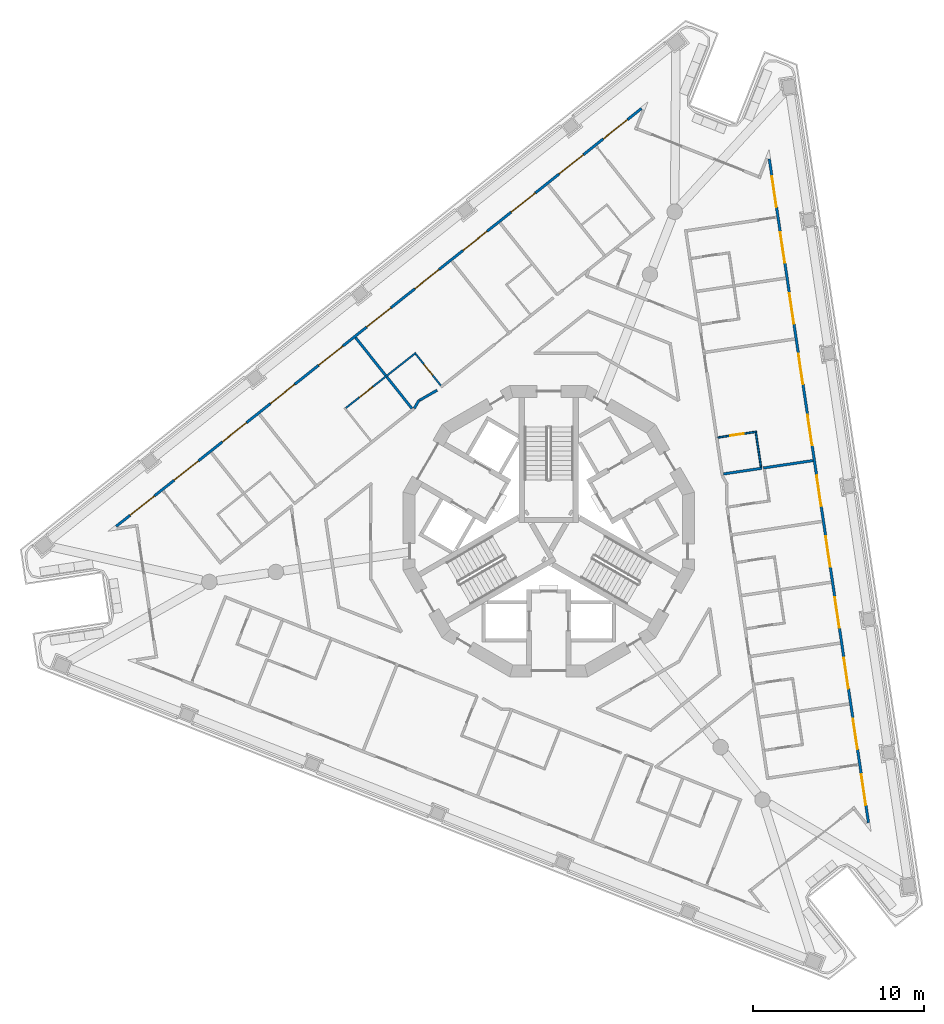
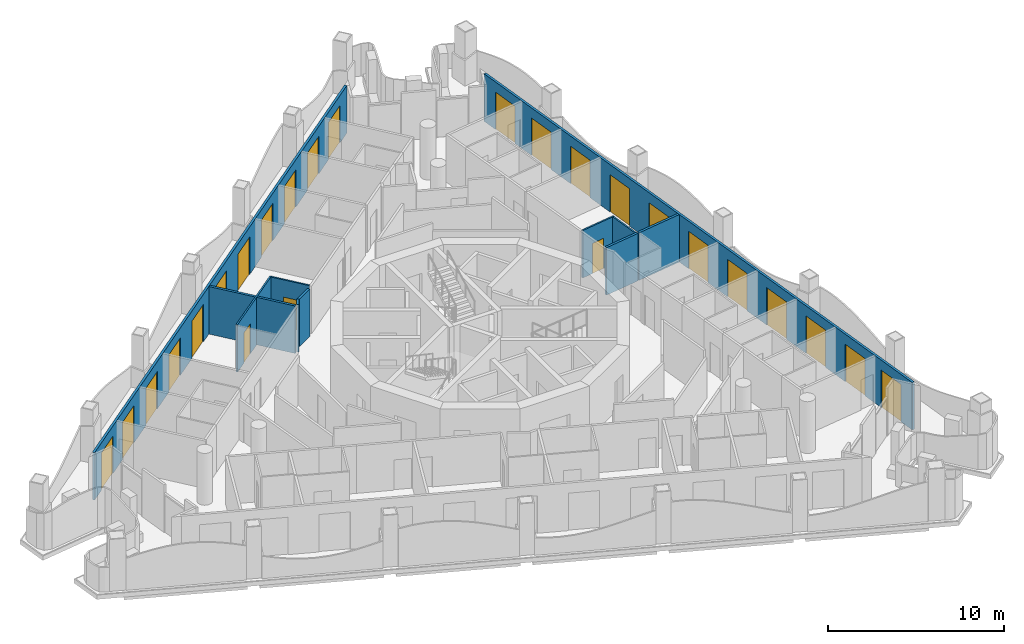
# One storey, part 7 of 16: 25 doors, 11 walls, 25 openings.
"""IFC4 building model written with IfcOpenShell, lengths in metres."""

from ifc_helpers import new_model, si_unit, direction, frame, frame_2d, origin, place, context, subcontext, project, spatial, polyline, rectangle, outline, extrude, material, layer, layer_set, type_object, element, fill, save


model = new_model("IFC4")

# Units and contexts
model_context = context("Model", 3, precision=1e-05, world=origin(), true_north=direction((0.0, 1.0)))
body_context = subcontext(model_context, "Body", "Model", "MODEL_VIEW")
ifc_project = project(units=[si_unit("LENGTHUNIT", "METRE"), si_unit("AREAUNIT", "SQUARE_METRE"), si_unit("VOLUMEUNIT", "CUBIC_METRE"), si_unit("PLANEANGLEUNIT", "RADIAN"), si_unit("MASSUNIT", "GRAM", prefix="KILO")], contexts=[model_context])

# Site, building, storey
site_placement = place(None, origin())
site = spatial("IfcSite", under=ifc_project, at=site_placement, CompositionType="ELEMENT")
building_placement = place(site_placement, origin())
building = spatial("IfcBuilding", under=site, at=building_placement, Name="Trine Commons Tower", CompositionType="ELEMENT")
storey_placement = place(building_placement, frame((0.0, 0.0, 223.199951171875)))
storey = spatial("IfcBuildingStorey", under=building, at=storey_placement, Name="L58", CompositionType="ELEMENT", Elevation=223.199951171875)

# Wall, openings, doors
ifc_material_1 = material(Name="Aluminium-framed insulated wall panel", Category="aluminium")
ifc_layer_1 = layer(ifc_material_1, 0.14990234375)
ifc_layer_set_1 = layer_set([ifc_layer_1], Name="Aluminium-framed insulated wall panel")
wall_type_1 = type_object("IfcWallType", Name="Glazed frame wall 150, EI 60", PredefinedType="SOLIDWALL", material=ifc_layer_set_1)
wall_1_placement = place(storey_placement, frame((54.650634765625, 62.685546875, 0.0), z_axis=(0.0, 0.0, 1.0), x_axis=(0.782609620341, 0.622512796776, 0.0)))
wall_1 = element("IfcWall", 1, at=wall_1_placement, inside=storey, type_object=wall_type_1, Name="Glazed frame wall F1", PredefinedType="SOLIDWALL", context=body_context, shape_type="SweptSolid", body=[
    extrude(outline(polyline([(0.1494140625, 0.074951171875), (0.1494140625, -0.074951171875), (39.296875, -0.074951171875), (39.296875, 0.074951171875), (0.1494140625, 0.074951171875)])), origin(), (0.0, 0.0, 1.0), 3.300048828125),
])
opening_1_placement = place(wall_1_placement, frame((1.193115234375, 0.0, 0.0)))
opening_1 = element("IfcOpeningElement", 2, at=opening_1_placement, cuts=wall_1, Name="Opening BD-6F1-01", PredefinedType="OPENING", context=body_context, shape_type="SweptSolid", body=[
    extrude(rectangle(XDim=1.800048828125, YDim=2.60009765625, at=frame_2d((0.89990234375, 1.300048828125))), frame((0.0, 0.0849609375, 0.0), z_axis=(0.0, -1.0, 0.0), x_axis=(1.0, 0.0, 0.0)), (0.0, 0.0, 1.0), 0.169921875),
])
opening_2_placement = place(wall_1_placement, frame((4.47900390625, 0.0, 0.0)))
opening_2 = element("IfcOpeningElement", 3, at=opening_2_placement, cuts=wall_1, Name="Opening BD-6F1-02", PredefinedType="OPENING", context=body_context, shape_type="SweptSolid", body=[
    extrude(rectangle(XDim=1.800048828125, YDim=2.60009765625, at=frame_2d((0.89990234375, 1.300048828125))), frame((0.0, 0.0849609375, 0.0), z_axis=(0.0, -1.0, 0.0), x_axis=(1.0, 0.0, 0.0)), (0.0, 0.0, 1.0), 0.169921875),
])
opening_3_placement = place(wall_1_placement, frame((8.06494140625, 0.0, 0.0)))
opening_3 = element("IfcOpeningElement", 4, at=opening_3_placement, cuts=wall_1, Name="Opening BD-6F1-03", PredefinedType="OPENING", context=body_context, shape_type="SweptSolid", body=[
    extrude(rectangle(XDim=1.800048828125, YDim=2.60009765625, at=frame_2d((0.89990234375, 1.300048828125))), frame((0.0, 0.0849609375, 0.0), z_axis=(0.0, -1.0, 0.0), x_axis=(1.0, 0.0, 0.0)), (0.0, 0.0, 1.0), 0.169921875),
])
opening_4_placement = place(wall_1_placement, frame((11.65087890625, 0.0, 0.0)))
opening_4 = element("IfcOpeningElement", 5, at=opening_4_placement, cuts=wall_1, Name="Opening BD-6F1-04", PredefinedType="OPENING", context=body_context, shape_type="SweptSolid", body=[
    extrude(rectangle(XDim=1.800048828125, YDim=2.60009765625, at=frame_2d((0.89990234375, 1.300048828125))), frame((0.0, 0.0849609375, 0.0), z_axis=(0.0, -1.0, 0.0), x_axis=(1.0, 0.0, 0.0)), (0.0, 0.0, 1.0), 0.169921875),
])
opening_5_placement = place(wall_1_placement, frame((15.237060546875, 0.0, 0.0)))
opening_5 = element("IfcOpeningElement", 6, at=opening_5_placement, cuts=wall_1, Name="Opening BD-6F1-05", PredefinedType="OPENING", context=body_context, shape_type="SweptSolid", body=[
    extrude(rectangle(XDim=1.800048828125, YDim=2.60009765625, at=frame_2d((0.89990234375, 1.300048828125))), frame((0.0, 0.0849609375, 0.0), z_axis=(0.0, -1.0, 0.0), x_axis=(1.0, 0.0, 0.0)), (0.0, 0.0, 1.0), 0.169921875),
])
opening_6_placement = place(wall_1_placement, frame((18.822998046875, 0.0, 0.0)))
opening_6 = element("IfcOpeningElement", 7, at=opening_6_placement, cuts=wall_1, Name="Opening BD-6F1-06", PredefinedType="OPENING", context=body_context, shape_type="SweptSolid", body=[
    extrude(rectangle(XDim=1.800048828125, YDim=2.60009765625, at=frame_2d((0.89990234375, 1.300048828125))), frame((0.0, 0.0849609375, 0.0), z_axis=(0.0, -1.0, 0.0), x_axis=(1.0, 0.0, 0.0)), (0.0, 0.0, 1.0), 0.169921875),
])
opening_7_placement = place(wall_1_placement, frame((22.408935546875, 0.0, 0.0)))
opening_7 = element("IfcOpeningElement", 8, at=opening_7_placement, cuts=wall_1, Name="Opening BD-6F1-07", PredefinedType="OPENING", context=body_context, shape_type="SweptSolid", body=[
    extrude(rectangle(XDim=1.800048828125, YDim=2.60009765625, at=frame_2d((0.89990234375, 1.300048828125))), frame((0.0, 0.0849609375, 0.0), z_axis=(0.0, -1.0, 0.0), x_axis=(1.0, 0.0, 0.0)), (0.0, 0.0, 1.0), 0.169921875),
])
opening_8_placement = place(wall_1_placement, frame((25.9951171875, 0.0, 0.0)))
opening_8 = element("IfcOpeningElement", 9, at=opening_8_placement, cuts=wall_1, Name="Opening BD-6F1-08", PredefinedType="OPENING", context=body_context, shape_type="SweptSolid", body=[
    extrude(rectangle(XDim=1.800048828125, YDim=2.60009765625, at=frame_2d((0.89990234375, 1.300048828125))), frame((0.0, 0.0849609375, 0.0), z_axis=(0.0, -1.0, 0.0), x_axis=(1.0, 0.0, 0.0)), (0.0, 0.0, 1.0), 0.169921875),
])
opening_9_placement = place(wall_1_placement, frame((29.5810546875, 0.0, 0.0)))
opening_9 = element("IfcOpeningElement", 10, at=opening_9_placement, cuts=wall_1, Name="Opening BD-6F1-09", PredefinedType="OPENING", context=body_context, shape_type="SweptSolid", body=[
    extrude(rectangle(XDim=1.800048828125, YDim=2.60009765625, at=frame_2d((0.89990234375, 1.300048828125))), frame((0.0, 0.0849609375, 0.0), z_axis=(0.0, -1.0, 0.0), x_axis=(1.0, 0.0, 0.0)), (0.0, 0.0, 1.0), 0.169921875),
])
opening_10_placement = place(wall_1_placement, frame((33.1669921875, 0.0, 0.0)))
opening_10 = element("IfcOpeningElement", 11, at=opening_10_placement, cuts=wall_1, Name="Opening BD-6F1-10", PredefinedType="OPENING", context=body_context, shape_type="SweptSolid", body=[
    extrude(rectangle(XDim=1.800048828125, YDim=2.60009765625, at=frame_2d((0.89990234375, 1.300048828125))), frame((0.0, 0.0849609375, 0.0), z_axis=(0.0, -1.0, 0.0), x_axis=(1.0, 0.0, 0.0)), (0.0, 0.0, 1.0), 0.169921875),
])
opening_11_placement = place(wall_1_placement, frame((36.452880859375, 0.0, 0.0)))
opening_11 = element("IfcOpeningElement", 12, at=opening_11_placement, cuts=wall_1, Name="Opening BD-6F1-11", PredefinedType="OPENING", context=body_context, shape_type="SweptSolid", body=[
    extrude(rectangle(XDim=1.800048828125, YDim=2.60009765625, at=frame_2d((0.89990234375, 1.300048828125))), frame((0.0, 0.0849609375, 0.0), z_axis=(0.0, -1.0, 0.0), x_axis=(1.0, 0.0, 0.0)), (0.0, 0.0, 1.0), 0.169921875),
])
ifc_material_2 = material(Name="Anodised aluminium frame with double glazing", Category="aluminium")
door_type_1 = type_object("IfcDoorType", Name="Sliding loggia door 1800x2600", OperationType="SLIDING_TO_LEFT", PredefinedType="DOOR", material=ifc_material_2)
door_1_placement = place(opening_1_placement, origin())
door_1 = element("IfcDoor", 13, at=door_1_placement, inside=storey, type_object=door_type_1, Name="Loggia door F1 1", OperationType="SLIDING_TO_LEFT", OverallHeight=2.60009765625, OverallWidth=1.800048828125, PredefinedType="DOOR", context=body_context, shape_type="SweptSolid", body=[
    extrude(rectangle(XDim=1.800048828125, YDim=2.60009765625, at=frame_2d((0.89990234375, 1.300048828125))), frame((0.0, 0.02490234375, 0.0), z_axis=(0.0, -1.0, 0.0), x_axis=(1.0, 0.0, 0.0)), (0.0, 0.0, 1.0), 0.050048828125),
])
fill(opening_1, door_1)
door_2_placement = place(opening_2_placement, origin())
door_2 = element("IfcDoor", 14, at=door_2_placement, inside=storey, type_object=door_type_1, Name="Loggia door F1 2", OperationType="SLIDING_TO_LEFT", OverallHeight=2.60009765625, OverallWidth=1.800048828125, PredefinedType="DOOR", context=body_context, shape_type="SweptSolid", body=[
    extrude(rectangle(XDim=1.800048828125, YDim=2.60009765625, at=frame_2d((0.89990234375, 1.300048828125))), frame((0.0, 0.02490234375, 0.0), z_axis=(0.0, -1.0, 0.0), x_axis=(1.0, 0.0, 0.0)), (0.0, 0.0, 1.0), 0.050048828125),
])
fill(opening_2, door_2)
door_3_placement = place(opening_3_placement, origin())
door_3 = element("IfcDoor", 15, at=door_3_placement, inside=storey, type_object=door_type_1, Name="Loggia door F1 3", OperationType="SLIDING_TO_LEFT", OverallHeight=2.60009765625, OverallWidth=1.800048828125, PredefinedType="DOOR", context=body_context, shape_type="SweptSolid", body=[
    extrude(rectangle(XDim=1.800048828125, YDim=2.60009765625, at=frame_2d((0.89990234375, 1.300048828125))), frame((0.0, 0.02490234375, 0.0), z_axis=(0.0, -1.0, 0.0), x_axis=(1.0, 0.0, 0.0)), (0.0, 0.0, 1.0), 0.050048828125),
])
fill(opening_3, door_3)
door_4_placement = place(opening_4_placement, origin())
door_4 = element("IfcDoor", 16, at=door_4_placement, inside=storey, type_object=door_type_1, Name="Loggia door F1 4", OperationType="SLIDING_TO_LEFT", OverallHeight=2.60009765625, OverallWidth=1.800048828125, PredefinedType="DOOR", context=body_context, shape_type="SweptSolid", body=[
    extrude(rectangle(XDim=1.800048828125, YDim=2.60009765625, at=frame_2d((0.89990234375, 1.300048828125))), frame((0.0, 0.02490234375, 0.0), z_axis=(0.0, -1.0, 0.0), x_axis=(1.0, 0.0, 0.0)), (0.0, 0.0, 1.0), 0.050048828125),
])
fill(opening_4, door_4)
door_5_placement = place(opening_5_placement, origin())
door_5 = element("IfcDoor", 17, at=door_5_placement, inside=storey, type_object=door_type_1, Name="Loggia door F1 5", OperationType="SLIDING_TO_LEFT", OverallHeight=2.60009765625, OverallWidth=1.800048828125, PredefinedType="DOOR", context=body_context, shape_type="SweptSolid", body=[
    extrude(rectangle(XDim=1.800048828125, YDim=2.60009765625, at=frame_2d((0.89990234375, 1.300048828125))), frame((0.0, 0.02490234375, 0.0), z_axis=(0.0, -1.0, 0.0), x_axis=(1.0, 0.0, 0.0)), (0.0, 0.0, 1.0), 0.050048828125),
])
fill(opening_5, door_5)
door_6_placement = place(opening_6_placement, origin())
door_6 = element("IfcDoor", 18, at=door_6_placement, inside=storey, type_object=door_type_1, Name="Loggia door F1 6", OperationType="SLIDING_TO_LEFT", OverallHeight=2.60009765625, OverallWidth=1.800048828125, PredefinedType="DOOR", context=body_context, shape_type="SweptSolid", body=[
    extrude(rectangle(XDim=1.800048828125, YDim=2.60009765625, at=frame_2d((0.89990234375, 1.300048828125))), frame((0.0, 0.02490234375, 0.0), z_axis=(0.0, -1.0, 0.0), x_axis=(1.0, 0.0, 0.0)), (0.0, 0.0, 1.0), 0.050048828125),
])
fill(opening_6, door_6)
door_7_placement = place(opening_7_placement, origin())
door_7 = element("IfcDoor", 19, at=door_7_placement, inside=storey, type_object=door_type_1, Name="Loggia door F1 7", OperationType="SLIDING_TO_LEFT", OverallHeight=2.60009765625, OverallWidth=1.800048828125, PredefinedType="DOOR", context=body_context, shape_type="SweptSolid", body=[
    extrude(rectangle(XDim=1.800048828125, YDim=2.60009765625, at=frame_2d((0.89990234375, 1.300048828125))), frame((0.0, 0.02490234375, 0.0), z_axis=(0.0, -1.0, 0.0), x_axis=(1.0, 0.0, 0.0)), (0.0, 0.0, 1.0), 0.050048828125),
])
fill(opening_7, door_7)
door_8_placement = place(opening_8_placement, origin())
door_8 = element("IfcDoor", 20, at=door_8_placement, inside=storey, type_object=door_type_1, Name="Loggia door F1 8", OperationType="SLIDING_TO_LEFT", OverallHeight=2.60009765625, OverallWidth=1.800048828125, PredefinedType="DOOR", context=body_context, shape_type="SweptSolid", body=[
    extrude(rectangle(XDim=1.800048828125, YDim=2.60009765625, at=frame_2d((0.89990234375, 1.300048828125))), frame((0.0, 0.02490234375, 0.0), z_axis=(0.0, -1.0, 0.0), x_axis=(1.0, 0.0, 0.0)), (0.0, 0.0, 1.0), 0.050048828125),
])
fill(opening_8, door_8)
door_9_placement = place(opening_9_placement, origin())
door_9 = element("IfcDoor", 21, at=door_9_placement, inside=storey, type_object=door_type_1, Name="Loggia door F1 9", OperationType="SLIDING_TO_LEFT", OverallHeight=2.60009765625, OverallWidth=1.800048828125, PredefinedType="DOOR", context=body_context, shape_type="SweptSolid", body=[
    extrude(rectangle(XDim=1.800048828125, YDim=2.60009765625, at=frame_2d((0.89990234375, 1.300048828125))), frame((0.0, 0.02490234375, 0.0), z_axis=(0.0, -1.0, 0.0), x_axis=(1.0, 0.0, 0.0)), (0.0, 0.0, 1.0), 0.050048828125),
])
fill(opening_9, door_9)
door_10_placement = place(opening_10_placement, origin())
door_10 = element("IfcDoor", 22, at=door_10_placement, inside=storey, type_object=door_type_1, Name="Loggia door F1 10", OperationType="SLIDING_TO_LEFT", OverallHeight=2.60009765625, OverallWidth=1.800048828125, PredefinedType="DOOR", context=body_context, shape_type="SweptSolid", body=[
    extrude(rectangle(XDim=1.800048828125, YDim=2.60009765625, at=frame_2d((0.89990234375, 1.300048828125))), frame((0.0, 0.02490234375, 0.0), z_axis=(0.0, -1.0, 0.0), x_axis=(1.0, 0.0, 0.0)), (0.0, 0.0, 1.0), 0.050048828125),
])
fill(opening_10, door_10)
door_11_placement = place(opening_11_placement, origin())
door_11 = element("IfcDoor", 23, at=door_11_placement, inside=storey, type_object=door_type_1, Name="Loggia door F1 11", OperationType="SLIDING_TO_LEFT", OverallHeight=2.60009765625, OverallWidth=1.800048828125, PredefinedType="DOOR", context=body_context, shape_type="SweptSolid", body=[
    extrude(rectangle(XDim=1.800048828125, YDim=2.60009765625, at=frame_2d((0.89990234375, 1.300048828125))), frame((0.0, 0.02490234375, 0.0), z_axis=(0.0, -1.0, 0.0), x_axis=(1.0, 0.0, 0.0)), (0.0, 0.0, 1.0), 0.050048828125),
])
fill(opening_11, door_11)

wall_2_placement = place(storey_placement, frame((92.835205078125, 84.3603515625, 0.0), z_axis=(0.0, 0.0, 1.0), x_axis=(0.147810490781, -0.989015702006, 0.0)))
wall_2 = element("IfcWall", 24, at=wall_2_placement, inside=storey, type_object=wall_type_1, Name="Glazed frame wall F2", PredefinedType="SOLIDWALL", context=body_context, shape_type="SweptSolid", body=[
    extrude(outline(polyline([(0.1494140625, 0.074951171875), (0.1494140625, -0.074951171875), (39.296875, -0.074951171875), (39.296875, 0.074951171875), (0.1494140625, 0.074951171875)])), origin(), (0.0, 0.0, 1.0), 3.300048828125),
])
opening_12_placement = place(wall_2_placement, frame((1.193115234375, 0.0, 0.0)))
opening_12 = element("IfcOpeningElement", 25, at=opening_12_placement, cuts=wall_2, Name="Opening BD-6F2-01", PredefinedType="OPENING", context=body_context, shape_type="SweptSolid", body=[
    extrude(rectangle(XDim=1.800048828125, YDim=2.60009765625, at=frame_2d((0.89990234375, 1.300048828125))), frame((0.0, 0.0849609375, 0.0), z_axis=(0.0, -1.0, 0.0), x_axis=(1.0, 0.0, 0.0)), (0.0, 0.0, 1.0), 0.169921875),
])
opening_13_placement = place(wall_2_placement, frame((4.47900390625, 0.0, 0.0)))
opening_13 = element("IfcOpeningElement", 26, at=opening_13_placement, cuts=wall_2, Name="Opening BD-6F2-02", PredefinedType="OPENING", context=body_context, shape_type="SweptSolid", body=[
    extrude(rectangle(XDim=1.800048828125, YDim=2.60009765625, at=frame_2d((0.89990234375, 1.300048828125))), frame((0.0, 0.0849609375, 0.0), z_axis=(0.0, -1.0, 0.0), x_axis=(1.0, 0.0, 0.0)), (0.0, 0.0, 1.0), 0.169921875),
])
opening_14_placement = place(wall_2_placement, frame((8.06494140625, 0.0, 0.0)))
opening_14 = element("IfcOpeningElement", 27, at=opening_14_placement, cuts=wall_2, Name="Opening BD-6F2-03", PredefinedType="OPENING", context=body_context, shape_type="SweptSolid", body=[
    extrude(rectangle(XDim=1.800048828125, YDim=2.60009765625, at=frame_2d((0.89990234375, 1.300048828125))), frame((0.0, 0.0849609375, 0.0), z_axis=(0.0, -1.0, 0.0), x_axis=(1.0, 0.0, 0.0)), (0.0, 0.0, 1.0), 0.169921875),
])
opening_15_placement = place(wall_2_placement, frame((11.65087890625, 0.0, 0.0)))
opening_15 = element("IfcOpeningElement", 28, at=opening_15_placement, cuts=wall_2, Name="Opening BD-6F2-04", PredefinedType="OPENING", context=body_context, shape_type="SweptSolid", body=[
    extrude(rectangle(XDim=1.800048828125, YDim=2.60009765625, at=frame_2d((0.89990234375, 1.300048828125))), frame((0.0, 0.0849609375, 0.0), z_axis=(0.0, -1.0, 0.0), x_axis=(1.0, 0.0, 0.0)), (0.0, 0.0, 1.0), 0.169921875),
])
opening_16_placement = place(wall_2_placement, frame((15.237060546875, 0.0, 0.0)))
opening_16 = element("IfcOpeningElement", 29, at=opening_16_placement, cuts=wall_2, Name="Opening BD-6F2-05", PredefinedType="OPENING", context=body_context, shape_type="SweptSolid", body=[
    extrude(rectangle(XDim=1.800048828125, YDim=2.60009765625, at=frame_2d((0.89990234375, 1.300048828125))), frame((0.0, 0.0849609375, 0.0), z_axis=(0.0, -1.0, 0.0), x_axis=(1.0, 0.0, 0.0)), (0.0, 0.0, 1.0), 0.169921875),
])
opening_17_placement = place(wall_2_placement, frame((18.822998046875, 0.0, 0.0)))
opening_17 = element("IfcOpeningElement", 30, at=opening_17_placement, cuts=wall_2, Name="Opening BD-6F2-06", PredefinedType="OPENING", context=body_context, shape_type="SweptSolid", body=[
    extrude(rectangle(XDim=1.800048828125, YDim=2.60009765625, at=frame_2d((0.89990234375, 1.300048828125))), frame((0.0, 0.0849609375, 0.0), z_axis=(0.0, -1.0, 0.0), x_axis=(1.0, 0.0, 0.0)), (0.0, 0.0, 1.0), 0.169921875),
])
opening_18_placement = place(wall_2_placement, frame((22.408935546875, 0.0, 0.0)))
opening_18 = element("IfcOpeningElement", 31, at=opening_18_placement, cuts=wall_2, Name="Opening BD-6F2-07", PredefinedType="OPENING", context=body_context, shape_type="SweptSolid", body=[
    extrude(rectangle(XDim=1.800048828125, YDim=2.60009765625, at=frame_2d((0.89990234375, 1.300048828125))), frame((0.0, 0.0849609375, 0.0), z_axis=(0.0, -1.0, 0.0), x_axis=(1.0, 0.0, 0.0)), (0.0, 0.0, 1.0), 0.169921875),
])
opening_19_placement = place(wall_2_placement, frame((25.9951171875, 0.0, 0.0)))
opening_19 = element("IfcOpeningElement", 32, at=opening_19_placement, cuts=wall_2, Name="Opening BD-6F2-08", PredefinedType="OPENING", context=body_context, shape_type="SweptSolid", body=[
    extrude(rectangle(XDim=1.800048828125, YDim=2.60009765625, at=frame_2d((0.89990234375, 1.300048828125))), frame((0.0, 0.0849609375, 0.0), z_axis=(0.0, -1.0, 0.0), x_axis=(1.0, 0.0, 0.0)), (0.0, 0.0, 1.0), 0.169921875),
])
opening_20_placement = place(wall_2_placement, frame((29.5810546875, 0.0, 0.0)))
opening_20 = element("IfcOpeningElement", 33, at=opening_20_placement, cuts=wall_2, Name="Opening BD-6F2-09", PredefinedType="OPENING", context=body_context, shape_type="SweptSolid", body=[
    extrude(rectangle(XDim=1.800048828125, YDim=2.60009765625, at=frame_2d((0.89990234375, 1.300048828125))), frame((0.0, 0.0849609375, 0.0), z_axis=(0.0, -1.0, 0.0), x_axis=(1.0, 0.0, 0.0)), (0.0, 0.0, 1.0), 0.169921875),
])
opening_21_placement = place(wall_2_placement, frame((33.1669921875, 0.0, 0.0)))
opening_21 = element("IfcOpeningElement", 34, at=opening_21_placement, cuts=wall_2, Name="Opening BD-6F2-10", PredefinedType="OPENING", context=body_context, shape_type="SweptSolid", body=[
    extrude(rectangle(XDim=1.800048828125, YDim=2.60009765625, at=frame_2d((0.89990234375, 1.300048828125))), frame((0.0, 0.0849609375, 0.0), z_axis=(0.0, -1.0, 0.0), x_axis=(1.0, 0.0, 0.0)), (0.0, 0.0, 1.0), 0.169921875),
])
opening_22_placement = place(wall_2_placement, frame((36.452880859375, 0.0, 0.0)))
opening_22 = element("IfcOpeningElement", 35, at=opening_22_placement, cuts=wall_2, Name="Opening BD-6F2-11", PredefinedType="OPENING", context=body_context, shape_type="SweptSolid", body=[
    extrude(rectangle(XDim=1.800048828125, YDim=2.60009765625, at=frame_2d((0.89990234375, 1.300048828125))), frame((0.0, 0.0849609375, 0.0), z_axis=(0.0, -1.0, 0.0), x_axis=(1.0, 0.0, 0.0)), (0.0, 0.0, 1.0), 0.169921875),
])
door_12_placement = place(opening_12_placement, origin())
door_12 = element("IfcDoor", 36, at=door_12_placement, inside=storey, type_object=door_type_1, Name="Loggia door F2 1", OperationType="SLIDING_TO_LEFT", OverallHeight=2.60009765625, OverallWidth=1.800048828125, PredefinedType="DOOR", context=body_context, shape_type="SweptSolid", body=[
    extrude(rectangle(XDim=1.800048828125, YDim=2.60009765625, at=frame_2d((0.89990234375, 1.300048828125))), frame((0.0, 0.02490234375, 0.0), z_axis=(0.0, -1.0, 0.0), x_axis=(1.0, 0.0, 0.0)), (0.0, 0.0, 1.0), 0.050048828125),
])
fill(opening_12, door_12)
door_13_placement = place(opening_13_placement, origin())
door_13 = element("IfcDoor", 37, at=door_13_placement, inside=storey, type_object=door_type_1, Name="Loggia door F2 2", OperationType="SLIDING_TO_LEFT", OverallHeight=2.60009765625, OverallWidth=1.800048828125, PredefinedType="DOOR", context=body_context, shape_type="SweptSolid", body=[
    extrude(rectangle(XDim=1.800048828125, YDim=2.60009765625, at=frame_2d((0.89990234375, 1.300048828125))), frame((0.0, 0.02490234375, 0.0), z_axis=(0.0, -1.0, 0.0), x_axis=(1.0, 0.0, 0.0)), (0.0, 0.0, 1.0), 0.050048828125),
])
fill(opening_13, door_13)
door_14_placement = place(opening_14_placement, origin())
door_14 = element("IfcDoor", 38, at=door_14_placement, inside=storey, type_object=door_type_1, Name="Loggia door F2 3", OperationType="SLIDING_TO_LEFT", OverallHeight=2.60009765625, OverallWidth=1.800048828125, PredefinedType="DOOR", context=body_context, shape_type="SweptSolid", body=[
    extrude(rectangle(XDim=1.800048828125, YDim=2.60009765625, at=frame_2d((0.89990234375, 1.300048828125))), frame((0.0, 0.02490234375, 0.0), z_axis=(0.0, -1.0, 0.0), x_axis=(1.0, 0.0, 0.0)), (0.0, 0.0, 1.0), 0.050048828125),
])
fill(opening_14, door_14)
door_15_placement = place(opening_15_placement, origin())
door_15 = element("IfcDoor", 39, at=door_15_placement, inside=storey, type_object=door_type_1, Name="Loggia door F2 4", OperationType="SLIDING_TO_LEFT", OverallHeight=2.60009765625, OverallWidth=1.800048828125, PredefinedType="DOOR", context=body_context, shape_type="SweptSolid", body=[
    extrude(rectangle(XDim=1.800048828125, YDim=2.60009765625, at=frame_2d((0.89990234375, 1.300048828125))), frame((0.0, 0.02490234375, 0.0), z_axis=(0.0, -1.0, 0.0), x_axis=(1.0, 0.0, 0.0)), (0.0, 0.0, 1.0), 0.050048828125),
])
fill(opening_15, door_15)
door_16_placement = place(opening_16_placement, origin())
door_16 = element("IfcDoor", 40, at=door_16_placement, inside=storey, type_object=door_type_1, Name="Loggia door F2 5", OperationType="SLIDING_TO_LEFT", OverallHeight=2.60009765625, OverallWidth=1.800048828125, PredefinedType="DOOR", context=body_context, shape_type="SweptSolid", body=[
    extrude(rectangle(XDim=1.800048828125, YDim=2.60009765625, at=frame_2d((0.89990234375, 1.300048828125))), frame((0.0, 0.02490234375, 0.0), z_axis=(0.0, -1.0, 0.0), x_axis=(1.0, 0.0, 0.0)), (0.0, 0.0, 1.0), 0.050048828125),
])
fill(opening_16, door_16)
door_17_placement = place(opening_17_placement, origin())
door_17 = element("IfcDoor", 41, at=door_17_placement, inside=storey, type_object=door_type_1, Name="Loggia door F2 6", OperationType="SLIDING_TO_LEFT", OverallHeight=2.60009765625, OverallWidth=1.800048828125, PredefinedType="DOOR", context=body_context, shape_type="SweptSolid", body=[
    extrude(rectangle(XDim=1.800048828125, YDim=2.60009765625, at=frame_2d((0.89990234375, 1.300048828125))), frame((0.0, 0.02490234375, 0.0), z_axis=(0.0, -1.0, 0.0), x_axis=(1.0, 0.0, 0.0)), (0.0, 0.0, 1.0), 0.050048828125),
])
fill(opening_17, door_17)
door_18_placement = place(opening_18_placement, origin())
door_18 = element("IfcDoor", 42, at=door_18_placement, inside=storey, type_object=door_type_1, Name="Loggia door F2 7", OperationType="SLIDING_TO_LEFT", OverallHeight=2.60009765625, OverallWidth=1.800048828125, PredefinedType="DOOR", context=body_context, shape_type="SweptSolid", body=[
    extrude(rectangle(XDim=1.800048828125, YDim=2.60009765625, at=frame_2d((0.89990234375, 1.300048828125))), frame((0.0, 0.02490234375, 0.0), z_axis=(0.0, -1.0, 0.0), x_axis=(1.0, 0.0, 0.0)), (0.0, 0.0, 1.0), 0.050048828125),
])
fill(opening_18, door_18)
door_19_placement = place(opening_19_placement, origin())
door_19 = element("IfcDoor", 43, at=door_19_placement, inside=storey, type_object=door_type_1, Name="Loggia door F2 8", OperationType="SLIDING_TO_LEFT", OverallHeight=2.60009765625, OverallWidth=1.800048828125, PredefinedType="DOOR", context=body_context, shape_type="SweptSolid", body=[
    extrude(rectangle(XDim=1.800048828125, YDim=2.60009765625, at=frame_2d((0.89990234375, 1.300048828125))), frame((0.0, 0.02490234375, 0.0), z_axis=(0.0, -1.0, 0.0), x_axis=(1.0, 0.0, 0.0)), (0.0, 0.0, 1.0), 0.050048828125),
])
fill(opening_19, door_19)
door_20_placement = place(opening_20_placement, origin())
door_20 = element("IfcDoor", 44, at=door_20_placement, inside=storey, type_object=door_type_1, Name="Loggia door F2 9", OperationType="SLIDING_TO_LEFT", OverallHeight=2.60009765625, OverallWidth=1.800048828125, PredefinedType="DOOR", context=body_context, shape_type="SweptSolid", body=[
    extrude(rectangle(XDim=1.800048828125, YDim=2.60009765625, at=frame_2d((0.89990234375, 1.300048828125))), frame((0.0, 0.02490234375, 0.0), z_axis=(0.0, -1.0, 0.0), x_axis=(1.0, 0.0, 0.0)), (0.0, 0.0, 1.0), 0.050048828125),
])
fill(opening_20, door_20)
door_21_placement = place(opening_21_placement, origin())
door_21 = element("IfcDoor", 45, at=door_21_placement, inside=storey, type_object=door_type_1, Name="Loggia door F2 10", OperationType="SLIDING_TO_LEFT", OverallHeight=2.60009765625, OverallWidth=1.800048828125, PredefinedType="DOOR", context=body_context, shape_type="SweptSolid", body=[
    extrude(rectangle(XDim=1.800048828125, YDim=2.60009765625, at=frame_2d((0.89990234375, 1.300048828125))), frame((0.0, 0.02490234375, 0.0), z_axis=(0.0, -1.0, 0.0), x_axis=(1.0, 0.0, 0.0)), (0.0, 0.0, 1.0), 0.050048828125),
])
fill(opening_21, door_21)
door_22_placement = place(opening_22_placement, origin())
door_22 = element("IfcDoor", 46, at=door_22_placement, inside=storey, type_object=door_type_1, Name="Loggia door F2 11", OperationType="SLIDING_TO_LEFT", OverallHeight=2.60009765625, OverallWidth=1.800048828125, PredefinedType="DOOR", context=body_context, shape_type="SweptSolid", body=[
    extrude(rectangle(XDim=1.800048828125, YDim=2.60009765625, at=frame_2d((0.89990234375, 1.300048828125))), frame((0.0, 0.02490234375, 0.0), z_axis=(0.0, -1.0, 0.0), x_axis=(1.0, 0.0, 0.0)), (0.0, 0.0, 1.0), 0.050048828125),
])
fill(opening_22, door_22)

# Walls
ifc_material_3 = material(Name="Gypsum plasterboard on steel stud", Category="steel")
ifc_layer_2 = layer(ifc_material_3, 0.14990234375)
ifc_layer_set_2 = layer_set([ifc_layer_2], Name="Gypsum plasterboard on steel stud")
wall_type_2 = type_object("IfcWallType", Name="Unit and corridor wall 150 mm, EI 60", PredefinedType="PARTITIONING", material=ifc_layer_set_2)
wall_3_placement = place(storey_placement, frame((68.72998046875, 73.788818359375, 0.0), z_axis=(0.0, 0.0, 1.0), x_axis=(0.622421957732, -0.782681868024, 0.0)))
element("IfcWall", 47, at=wall_3_placement, inside=storey, type_object=wall_type_2, Name="Partition 029", PredefinedType="PARTITIONING", context=body_context, shape_type="SweptSolid", body=[
    extrude(rectangle(XDim=5.28466796875, YDim=0.14990234375, at=frame_2d((2.642333984375, 0.0))), origin(), (0.0, 0.0, 1.0), 3.300048828125),
])
wall_4_placement = place(storey_placement, frame((72.152099609375, 69.656005859375, 0.0), z_axis=(0.0, 0.0, 1.0), x_axis=(0.499165076137, 0.866506910973, 0.0)))
element("IfcWall", 48, at=wall_4_placement, inside=storey, type_object=wall_type_2, Name="Partition 033", PredefinedType="PARTITIONING", context=body_context, shape_type="SweptSolid", body=[
    extrude(rectangle(XDim=0.58154296875, YDim=0.14990234375, at=frame_2d((0.290771484375, 0.0))), origin(), (0.0, 0.0, 1.0), 3.300048828125),
])
wall_5_placement = place(storey_placement, frame((72.469970703125, 70.132568359375, 0.0), z_axis=(0.0, 0.0, 1.0), x_axis=(0.865861083349, 0.5002845034, 0.0)))
element("IfcWall", 49, at=wall_5_placement, inside=storey, type_object=wall_type_2, Name="Partition 035", PredefinedType="PARTITIONING", context=body_context, shape_type="SweptSolid", body=[
    extrude(rectangle(XDim=1.177978515625, YDim=0.14990234375, at=frame_2d((0.5888671875, 0.0))), origin(), (0.0, 0.0, 1.0), 3.300048828125),
])
wall_6_placement = place(storey_placement, frame((90.18408203125, 65.835205078125, 0.0), z_axis=(0.0, 0.0, 1.0), x_axis=(0.989025888794, 0.147742313828, 0.0)))
element("IfcWall", 50, at=wall_6_placement, inside=storey, type_object=wall_type_2, Name="Partition 097", PredefinedType="PARTITIONING", context=body_context, shape_type="SweptSolid", body=[
    extrude(rectangle(XDim=2.275390625, YDim=0.14990234375, at=frame_2d((1.1376953125, 0.0))), origin(), (0.0, 0.0, 1.0), 3.300048828125),
])
wall_7_placement = place(storey_placement, frame((92.508544921875, 66.1826171875, 0.0), z_axis=(0.0, 0.0, 1.0), x_axis=(0.98902768461, 0.147730291663, 0.0)))
element("IfcWall", 51, at=wall_7_placement, inside=storey, type_object=wall_type_2, Name="Partition 119", PredefinedType="PARTITIONING", context=body_context, shape_type="SweptSolid", body=[
    extrude(rectangle(XDim=2.93505859375, YDim=0.14990234375, at=frame_2d((1.467529296875, 0.0))), origin(), (0.0, 0.0, 1.0), 3.300048828125),
])

# Wall, opening, door
ifc_layer_3 = layer(ifc_material_3, 0.10009765625)
ifc_layer_set_3 = layer_set([ifc_layer_3], Name="Gypsum plasterboard on steel stud")
wall_type_3 = type_object("IfcWallType", Name="Unit partition 100 mm, no rating", PredefinedType="PARTITIONING", material=ifc_layer_set_3)
wall_8_placement = place(storey_placement, frame((68.162353515625, 69.681884765625, 0.0), z_axis=(0.0, 0.0, 1.0), x_axis=(0.785695640429, 0.618613256091, 0.0)))
wall_8 = element("IfcWall", 52, at=wall_8_placement, inside=storey, type_object=wall_type_3, Name="Partition 028", PredefinedType="PARTITIONING", context=body_context, shape_type="SweptSolid", body=[
    extrude(rectangle(XDim=5.200439453125, YDim=0.10009765625, at=frame_2d((2.60009765625, 0.0))), origin(), (0.0, 0.0, 1.0), 3.300048828125),
])
opening_23_placement = place(wall_8_placement, frame((1.0, 0.0, 0.0)))
opening_23 = element("IfcOpeningElement", 53, at=opening_23_placement, cuts=wall_8, Name="Opening D-6C31", PredefinedType="OPENING", context=body_context, shape_type="SweptSolid", body=[
    extrude(rectangle(XDim=1.0, YDim=2.10009765625, at=frame_2d((0.5, 1.050048828125))), frame((0.0, 0.06005859375, 0.0), z_axis=(0.0, -1.0, 0.0), x_axis=(1.0, 0.0, 0.0)), (0.0, 0.0, 1.0), 0.1201171875),
])
ifc_material_4 = material(Name="Painted timber", Category="wood")
door_type_2 = type_object("IfcDoorType", Name="Internal door 1000 x 2100, NOT RATED", OperationType="NOTDEFINED", PredefinedType="DOOR", material=ifc_material_4)
door_23_placement = place(opening_23_placement, origin())
door_23 = element("IfcDoor", 54, at=door_23_placement, inside=storey, type_object=door_type_2, Name="Door D-6C31", OperationType="SINGLE_SWING_LEFT", OverallHeight=2.10009765625, OverallWidth=1.0, PredefinedType="DOOR", context=body_context, shape_type="SweptSolid", body=[
    extrude(rectangle(XDim=1.0, YDim=2.10009765625, at=frame_2d((0.5, 1.050048828125))), frame((0.0, 0.02490234375, 0.0), z_axis=(0.0, -1.0, 0.0), x_axis=(1.0, 0.0, 0.0)), (0.0, 0.0, 1.0), 0.050048828125),
])
fill(opening_23, door_23)

wall_9_placement = place(storey_placement, frame((72.239990234375, 72.828857421875, 0.0), z_axis=(0.0, 0.0, 1.0), x_axis=(0.622588668778, -0.782549263311, 0.0)))
wall_9 = element("IfcWall", 55, at=wall_9_placement, inside=storey, type_object=wall_type_3, Name="Partition 034", PredefinedType="PARTITIONING", context=body_context, shape_type="SweptSolid", body=[
    extrude(rectangle(XDim=2.348876953125, YDim=0.10009765625, at=frame_2d((1.17431640625, 0.0))), origin(), (0.0, 0.0, 1.0), 3.300048828125),
])
opening_24_placement = place(wall_9_placement, frame((0.7744140625, 0.0, 0.0)))
opening_24 = element("IfcOpeningElement", 56, at=opening_24_placement, cuts=wall_9, Name="Opening D-6C32", PredefinedType="OPENING", context=body_context, shape_type="SweptSolid", body=[
    extrude(rectangle(XDim=0.800048828125, YDim=2.10009765625, at=frame_2d((0.39990234375, 1.050048828125))), frame((0.0, 0.06005859375, 0.0), z_axis=(0.0, -1.0, 0.0), x_axis=(1.0, 0.0, 0.0)), (0.0, 0.0, 1.0), 0.1201171875),
])
door_type_3 = type_object("IfcDoorType", Name="Internal door 800 x 2100, NOT RATED", OperationType="NOTDEFINED", PredefinedType="DOOR", material=ifc_material_4)
door_24_placement = place(opening_24_placement, origin())
door_24 = element("IfcDoor", 57, at=door_24_placement, inside=storey, type_object=door_type_3, Name="Door D-6C32", OperationType="SINGLE_SWING_LEFT", OverallHeight=2.10009765625, OverallWidth=0.800048828125, PredefinedType="DOOR", context=body_context, shape_type="SweptSolid", body=[
    extrude(rectangle(XDim=0.800048828125, YDim=2.10009765625, at=frame_2d((0.39990234375, 1.050048828125))), frame((0.0, 0.02490234375, 0.0), z_axis=(0.0, -1.0, 0.0), x_axis=(1.0, 0.0, 0.0)), (0.0, 0.0, 1.0), 0.050048828125),
])
fill(opening_24, door_24)

wall_10_placement = place(storey_placement, frame((89.8662109375, 67.961181640625, 0.0), z_axis=(0.0, 0.0, 1.0), x_axis=(0.989023546454, 0.147757993216, 0.0)))
wall_10 = element("IfcWall", 58, at=wall_10_placement, inside=storey, type_object=wall_type_3, Name="Partition 095", PredefinedType="PARTITIONING", context=body_context, shape_type="SweptSolid", body=[
    extrude(rectangle(XDim=2.275146484375, YDim=0.10009765625, at=frame_2d((1.1376953125, 0.0))), origin(), (0.0, 0.0, 1.0), 3.300048828125),
])
opening_25_placement = place(wall_10_placement, frame((0.712646484375, 0.0, 0.0)))
opening_25 = element("IfcOpeningElement", 59, at=opening_25_placement, cuts=wall_10, Name="Opening D-6C37", PredefinedType="OPENING", context=body_context, shape_type="SweptSolid", body=[
    extrude(rectangle(XDim=0.800048828125, YDim=2.10009765625, at=frame_2d((0.39990234375, 1.050048828125))), frame((0.0, 0.06005859375, 0.0), z_axis=(0.0, -1.0, 0.0), x_axis=(1.0, 0.0, 0.0)), (0.0, 0.0, 1.0), 0.1201171875),
])
door_25_placement = place(opening_25_placement, origin())
door_25 = element("IfcDoor", 60, at=door_25_placement, inside=storey, type_object=door_type_3, Name="Door D-6C37", OperationType="SINGLE_SWING_LEFT", OverallHeight=2.10009765625, OverallWidth=0.800048828125, PredefinedType="DOOR", context=body_context, shape_type="SweptSolid", body=[
    extrude(rectangle(XDim=0.800048828125, YDim=2.10009765625, at=frame_2d((0.39990234375, 1.050048828125))), frame((0.0, 0.02490234375, 0.0), z_axis=(0.0, -1.0, 0.0), x_axis=(1.0, 0.0, 0.0)), (0.0, 0.0, 1.0), 0.050048828125),
])
fill(opening_25, door_25)

# Wall
wall_11_placement = place(storey_placement, frame((92.074462890625, 68.240478515625, 0.0), z_axis=(0.0, 0.0, 1.0), x_axis=(0.147850973305, -0.98900965096, 0.0)))
element("IfcWall", 61, at=wall_11_placement, inside=storey, type_object=wall_type_3, Name="Partition 115", PredefinedType="PARTITIONING", context=body_context, shape_type="SweptSolid", body=[
    extrude(rectangle(XDim=2.0244140625, YDim=0.10009765625, at=frame_2d((1.01220703125, 0.0))), origin(), (0.0, 0.0, 1.0), 3.300048828125),
])

save(model, "model.ifc")
